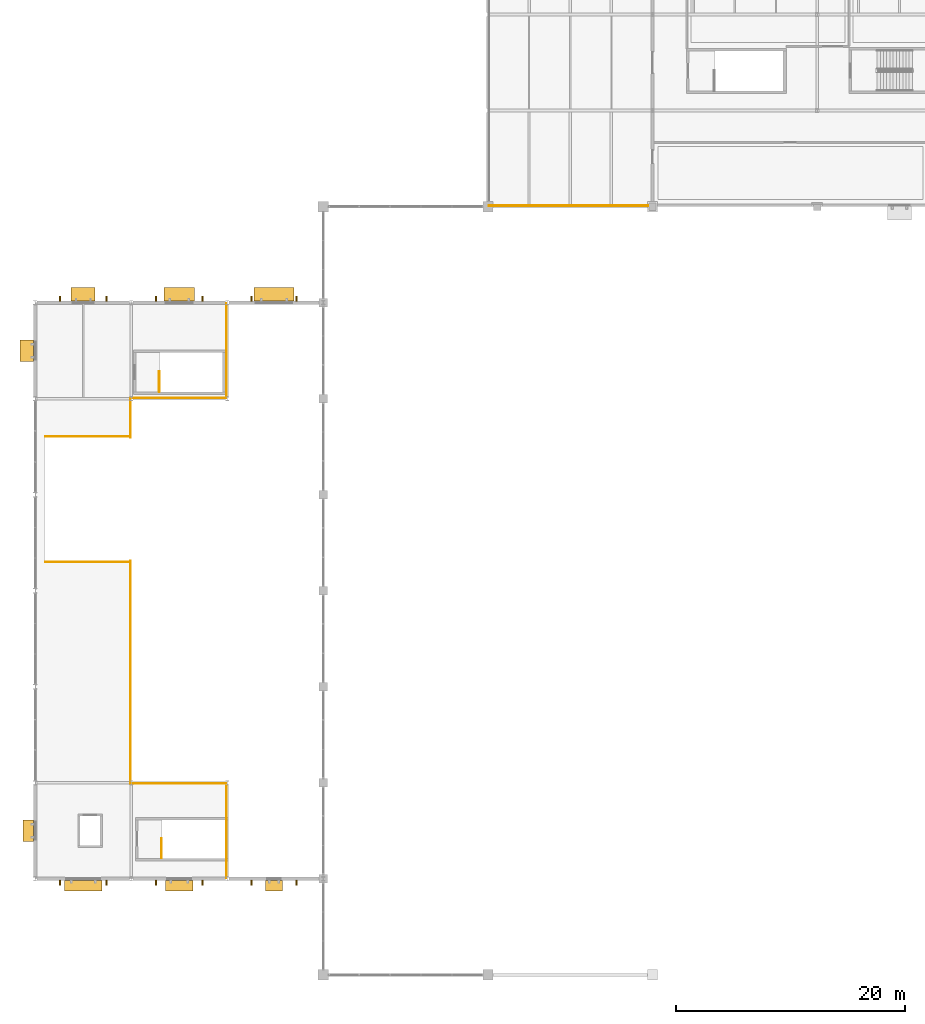
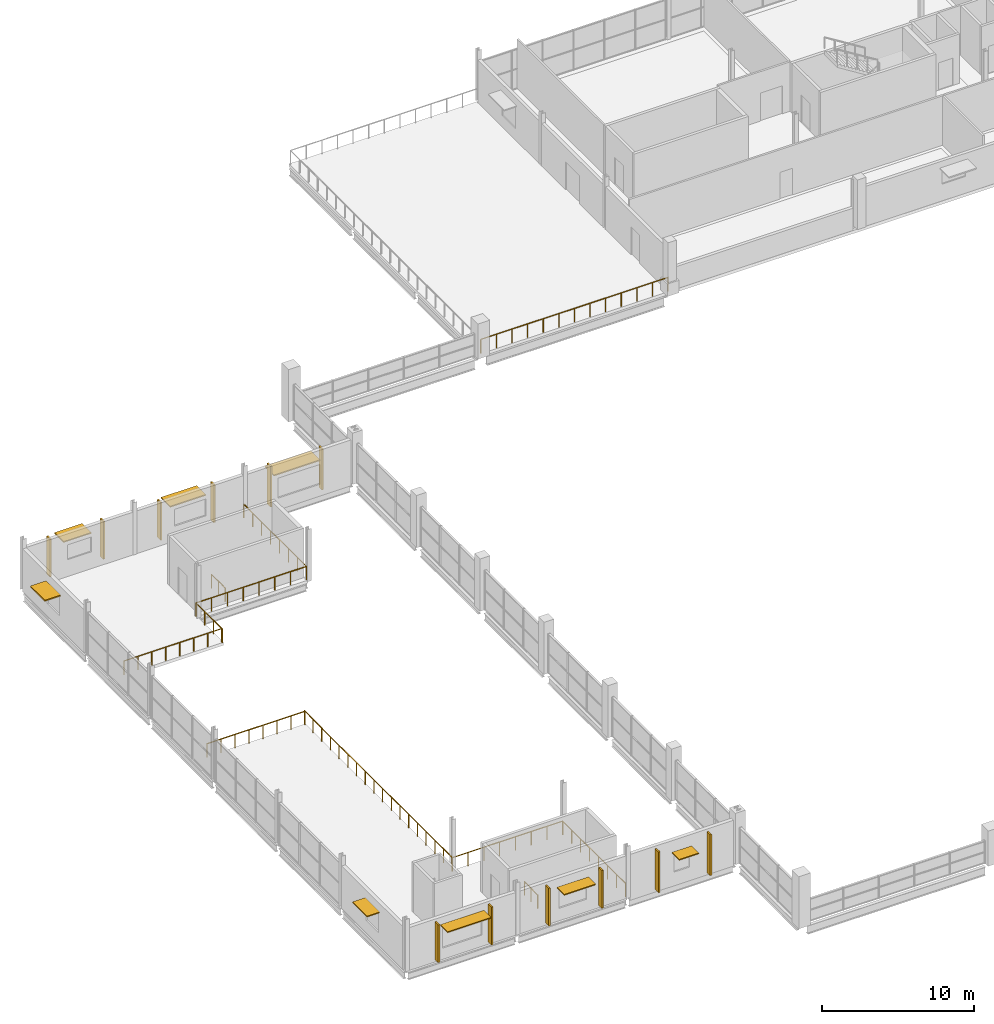
# One storey, part 62 of 68: 20 shading devices, 11 railings.
"""IFC4 building model written with IfcOpenShell, lengths in metres."""

from ifc_helpers import new_model, si_unit, direction, frame, origin, origin_2d, place, context, subcontext, project, spatial, rectangle, circle, extrude, material, layer, layer_set, type_object, element, save


model = new_model("IFC4")

# Units and contexts
model_context = context("Model", 3, precision=1e-05, world=origin(), true_north=direction((0.0, 1.0)))
body_context = subcontext(model_context, "Body", "Model", "MODEL_VIEW")
ifc_project = project(units=[si_unit("LENGTHUNIT", "METRE"), si_unit("AREAUNIT", "SQUARE_METRE"), si_unit("VOLUMEUNIT", "CUBIC_METRE"), si_unit("PLANEANGLEUNIT", "RADIAN"), si_unit("MASSUNIT", "GRAM", prefix="KILO"), si_unit("THERMODYNAMICTEMPERATUREUNIT", "KELVIN")], contexts=[model_context])

# Site, building, storey
site_placement = place(None, origin())
site = spatial("IfcSite", under=ifc_project, at=site_placement, CompositionType="ELEMENT")
building_placement = place(site_placement, origin())
building = spatial("IfcBuilding", under=site, at=building_placement, Name="Nduvali Passage Aquatics Centre", CompositionType="ELEMENT")
storey_placement = place(building_placement, frame((0.0, 0.0, 13.199951171875)))
storey = spatial("IfcBuildingStorey", under=building, at=storey_placement, Name="L03", CompositionType="ELEMENT", Elevation=13.199951171875)

# Shading devices
ifc_material_1 = material(Name="Glulam GL28h", Category="wood")
shading_device_type_1 = type_object("IfcShadingDeviceType", Name="ENV-SHD-FIN1", PredefinedType="USERDEFINED", material=ifc_material_1)
for number, where, z_axis, x_axis, name in (
    (1, (2.175048828125, 33.2451171875, 0.2001953125), (0.0, 0.0, 1.0), (1.0, 0.0, 0.0), "L03 Vertical Glulam Facade Fin 0067"),
    (2, (6.22509765625, 33.2451171875, 0.2001953125), (0.0, 0.0, 1.0), (1.0, 0.0, 0.0), "L03 Vertical Glulam Facade Fin 0068"),
    (3, (6.22509765625, 84.35498046875, 0.2001953125), (0.0, 0.0, 1.0), (-1.0, 0.0, 0.0), "L03 Vertical Glulam Facade Fin 0070"),
    (4, (2.175048828125, 84.35498046875, 0.2001953125), (0.0, 0.0, 1.0), (-1.0, 0.0, 0.0), "L03 Vertical Glulam Facade Fin 0071"),
    (5, (10.574951171875, 33.2451171875, 0.2001953125), (0.0, 0.0, 1.0), (1.0, 0.0, 0.0), "L03 Vertical Glulam Facade Fin 0073"),
    (6, (14.625, 33.2451171875, 0.2001953125), (0.0, 0.0, 1.0), (1.0, 0.0, 0.0), "L03 Vertical Glulam Facade Fin 0074"),
    (7, (14.625, 84.35498046875, 0.2001953125), (0.0, 0.0, 1.0), (-1.0, 0.0, 0.0), "L03 Vertical Glulam Facade Fin 0076"),
    (8, (10.574951171875, 84.35498046875, 0.2001953125), (0.0, 0.0, 1.0), (-1.0, 0.0, 0.0), "L03 Vertical Glulam Facade Fin 0077"),
):
    element("IfcShadingDevice", number, at=place(storey_placement, frame(where, z_axis=z_axis, x_axis=x_axis)), inside=storey, type_object=shading_device_type_1, Name=name, ObjectType="VERTICAL FIN", PredefinedType="USERDEFINED", context=body_context, shape_type="SweptSolid", body=[
        extrude(rectangle(XDim=0.1201171875, YDim=0.43994140625, at=origin_2d()), origin(), (0.0, 0.0, 1.0), 3.032958984375),
    ])
for number, where, z_axis, x_axis, name in (
    (9, (18.918701171875, 33.2451171875, -0.0498046875), (0.0, 0.0, 1.0), (1.0, 0.0, 0.0), "L03 Vertical Glulam Facade Fin 0079"),
    (10, (22.856201171875, 33.2451171875, -0.0498046875), (0.0, 0.0, 1.0), (1.0, 0.0, 0.0), "L03 Vertical Glulam Facade Fin 0080"),
    (11, (22.856201171875, 84.35498046875, -0.0498046875), (0.0, 0.0, 1.0), (-1.0, 0.0, 0.0), "L03 Vertical Glulam Facade Fin 0082"),
    (12, (18.918701171875, 84.35498046875, -0.0498046875), (0.0, 0.0, 1.0), (-1.0, 0.0, 0.0), "L03 Vertical Glulam Facade Fin 0083"),
):
    element("IfcShadingDevice", number, at=place(storey_placement, frame(where, z_axis=z_axis, x_axis=x_axis)), inside=storey, type_object=shading_device_type_1, Name=name, ObjectType="VERTICAL FIN", PredefinedType="USERDEFINED", context=body_context, shape_type="SweptSolid", body=[
        extrude(rectangle(XDim=0.1201171875, YDim=0.43994140625, at=origin_2d()), origin(), (0.0, 0.0, 1.0), 3.282958984375),
    ])
ifc_material_2 = material(Name="Aluminium EN AW-6063 T6", Category="aluminium")
ifc_layer_1 = layer(ifc_material_2, 0.090087890625, Name="Aluminium EN AW-6063 T6")
ifc_layer_set_1 = layer_set([ifc_layer_1], Name="Aluminium EN AW-6063 T6")
shading_device_type_2 = type_object("IfcShadingDeviceType", Name="ENV-SHD-SUN1", PredefinedType="AWNING", material=ifc_layer_set_1)
shading_device_1_placement = place(storey_placement, frame((4.199951171875, 84.72998046875, 2.60498046875), z_axis=(0.0, 0.0, 1.0), x_axis=(-1.0, 0.0, 0.0)))
element("IfcShadingDevice", 13, at=shading_device_1_placement, inside=storey, type_object=shading_device_type_2, Name="L03 Horizontal Monsoon Sunshade 0069", PredefinedType="AWNING", context=body_context, shape_type="SweptSolid", body=[
    extrude(rectangle(XDim=2.10009765625, YDim=1.199951171875, at=origin_2d()), origin(), (0.0, 0.0, 1.0), 0.090087890625),
])
shading_device_2_placement = place(storey_placement, frame((12.60009765625, 84.72998046875, 2.60498046875), z_axis=(0.0, 0.0, 1.0), x_axis=(-1.0, 0.0, 0.0)))
element("IfcShadingDevice", 14, at=shading_device_2_placement, inside=storey, type_object=shading_device_type_2, Name="L03 Horizontal Monsoon Sunshade 0075", PredefinedType="AWNING", context=body_context, shape_type="SweptSolid", body=[
    extrude(rectangle(XDim=2.699951171875, YDim=1.199951171875, at=origin_2d()), origin(), (0.0, 0.0, 1.0), 0.090087890625),
])
shading_device_3_placement = place(storey_placement, frame((20.887939453125, 84.72998046875, 2.35498046875), z_axis=(0.0, 0.0, 1.0), x_axis=(-1.0, 0.0, 0.0)))
element("IfcShadingDevice", 15, at=shading_device_3_placement, inside=storey, type_object=shading_device_type_2, Name="L03 Horizontal Monsoon Sunshade 0081", PredefinedType="AWNING", context=body_context, shape_type="SweptSolid", body=[
    extrude(rectangle(XDim=3.5, YDim=1.199951171875, at=origin_2d()), origin(), (0.0, 0.0, 1.0), 0.090087890625),
])
shading_device_4_placement = place(storey_placement, frame((-0.72998046875, 79.800048828125, 2.65478515625), z_axis=(0.0, 0.0, 1.0), x_axis=(0.0, -1.0, 0.0)))
element("IfcShadingDevice", 16, at=shading_device_4_placement, inside=storey, type_object=shading_device_type_2, Name="L03 Horizontal Monsoon Sunshade 0085", PredefinedType="AWNING", context=body_context, shape_type="SweptSolid", body=[
    extrude(rectangle(XDim=1.89990234375, YDim=1.199951171875, at=origin_2d()), origin(), (0.0, 0.0, 1.0), 0.090087890625),
])
ifc_layer_2 = layer(ifc_material_2, 0.080078125, Name="Aluminium EN AW-6063 T6")
ifc_layer_set_2 = layer_set([ifc_layer_2], Name="Aluminium EN AW-6063 T6")
shading_device_type_3 = type_object("IfcShadingDeviceType", Name="ENV-SHD-SUN2", PredefinedType="AWNING", material=ifc_layer_set_2)
shading_device_5_placement = place(storey_placement, frame((4.199951171875, 32.9951171875, 2.760009765625), z_axis=(0.0, 0.0, 1.0), x_axis=(1.0, 0.0, 0.0)))
element("IfcShadingDevice", 17, at=shading_device_5_placement, inside=storey, type_object=shading_device_type_3, Name="L03 Horizontal Monsoon Sunshade 0066", PredefinedType="AWNING", context=body_context, shape_type="SweptSolid", body=[
    extrude(rectangle(XDim=3.300048828125, YDim=0.949951171875, at=origin_2d()), origin(), (0.0, 0.0, 1.0), 0.080078125),
])
shading_device_6_placement = place(storey_placement, frame((12.60009765625, 32.9951171875, 2.659912109375), z_axis=(0.0, 0.0, 1.0), x_axis=(1.0, 0.0, 0.0)))
element("IfcShadingDevice", 18, at=shading_device_6_placement, inside=storey, type_object=shading_device_type_3, Name="L03 Horizontal Monsoon Sunshade 0072", PredefinedType="AWNING", context=body_context, shape_type="SweptSolid", body=[
    extrude(rectangle(XDim=2.39990234375, YDim=0.949951171875, at=origin_2d()), origin(), (0.0, 0.0, 1.0), 0.080078125),
])
shading_device_7_placement = place(storey_placement, frame((20.886962890625, 32.9951171875, 2.409912109375), z_axis=(0.0, 0.0, 1.0), x_axis=(1.0, 0.0, 0.0)))
element("IfcShadingDevice", 19, at=shading_device_7_placement, inside=storey, type_object=shading_device_type_3, Name="L03 Horizontal Monsoon Sunshade 0078", PredefinedType="AWNING", context=body_context, shape_type="SweptSolid", body=[
    extrude(rectangle(XDim=1.5, YDim=0.949951171875, at=origin_2d()), origin(), (0.0, 0.0, 1.0), 0.080078125),
])
shading_device_8_placement = place(storey_placement, frame((-0.60498046875, 37.800048828125, 2.659912109375), z_axis=(0.0, 0.0, 1.0), x_axis=(0.0, -1.0, 0.0)))
element("IfcShadingDevice", 20, at=shading_device_8_placement, inside=storey, type_object=shading_device_type_3, Name="L03 Horizontal Monsoon Sunshade 0084", PredefinedType="AWNING", context=body_context, shape_type="SweptSolid", body=[
    extrude(rectangle(XDim=1.89990234375, YDim=0.949951171875, at=origin_2d()), origin(), (0.0, 0.0, 1.0), 0.080078125),
])

# Railings
ifc_material_3 = material(Name="Stainless steel balustrade", Category="steel")
railing_type_1 = type_object("IfcRailingType", Name="INT-RLG-EXT112", PredefinedType="BALUSTRADE", material=ifc_material_3)
railing_1_placement = place(storey_placement, frame((39.679931640625, 92.47998046875, 0.0)))
element("IfcRailing", 21, at=railing_1_placement, inside=storey, type_object=railing_type_1, Name="L03 Roof Terrace South Perimeter Balustrade", PredefinedType="BALUSTRADE", context=body_context, shape_type="SweptSolid", body=[
    extrude(circle(Radius=0.02392578125, at=origin_2d()), frame((0.0, 0.0, 1.09619140625), z_axis=(1.0, 0.0, 0.0), x_axis=(0.0, 1.0, 0.0)), (0.0, 0.0, 1.0), 14.239990234375),
    extrude(circle(Radius=0.02099609375, at=origin_2d()), origin(), (0.0, 0.0, 1.0), 1.072021484375),
    extrude(circle(Radius=0.02099609375, at=origin_2d()), frame((1.186767578125, 0.0, 0.0)), (0.0, 0.0, 1.0), 1.072021484375),
    extrude(circle(Radius=0.02099609375, at=origin_2d()), frame((2.373291015625, 0.0, 0.0)), (0.0, 0.0, 1.0), 1.072021484375),
    extrude(circle(Radius=0.02099609375, at=origin_2d()), frame((3.56005859375, 0.0, 0.0)), (0.0, 0.0, 1.0), 1.072021484375),
    extrude(circle(Radius=0.02099609375, at=origin_2d()), frame((4.74658203125, 0.0, 0.0)), (0.0, 0.0, 1.0), 1.072021484375),
    extrude(circle(Radius=0.02099609375, at=origin_2d()), frame((5.933349609375, 0.0, 0.0)), (0.0, 0.0, 1.0), 1.072021484375),
    extrude(circle(Radius=0.02099609375, at=origin_2d()), frame((7.1201171875, 0.0, 0.0)), (0.0, 0.0, 1.0), 1.072021484375),
    extrude(circle(Radius=0.02099609375, at=origin_2d()), frame((8.306640625, 0.0, 0.0)), (0.0, 0.0, 1.0), 1.072021484375),
    extrude(circle(Radius=0.02099609375, at=origin_2d()), frame((9.493408203125, 0.0, 0.0)), (0.0, 0.0, 1.0), 1.072021484375),
    extrude(circle(Radius=0.02099609375, at=origin_2d()), frame((10.679931640625, 0.0, 0.0)), (0.0, 0.0, 1.0), 1.072021484375),
    extrude(circle(Radius=0.02099609375, at=origin_2d()), frame((11.86669921875, 0.0, 0.0)), (0.0, 0.0, 1.0), 1.072021484375),
    extrude(circle(Radius=0.02099609375, at=origin_2d()), frame((13.05322265625, 0.0, 0.0)), (0.0, 0.0, 1.0), 1.072021484375),
    extrude(circle(Radius=0.02099609375, at=origin_2d()), frame((14.239990234375, 0.0, 0.0)), (0.0, 0.0, 1.0), 1.072021484375),
])
railing_type_2 = type_object("IfcRailingType", Name="INT-RLG-GRD110", PredefinedType="GUARDRAIL", material=ifc_material_3)
railing_2_placement = place(storey_placement, frame((11.050048828125, 35.39990234375, 0.0)))
element("IfcRailing", 22, at=railing_2_placement, inside=storey, type_object=railing_type_2, Name="L03 ST9 top well guard 1", PredefinedType="GUARDRAIL", context=body_context, shape_type="SweptSolid", body=[
    extrude(circle(Radius=0.02392578125, at=origin_2d()), frame((0.0, 0.0, 1.076171875), z_axis=(0.0, 1.0, 0.0), x_axis=(-1.0, 0.0, 0.0)), (0.0, 0.0, 1.0), 1.75),
    extrude(circle(Radius=0.02099609375, at=origin_2d()), origin(), (0.0, 0.0, 1.0), 1.052001953125),
    extrude(circle(Radius=0.02099609375, at=origin_2d()), frame((0.0, 0.875, 0.0)), (0.0, 0.0, 1.0), 1.052001953125),
    extrude(circle(Radius=0.02099609375, at=origin_2d()), frame((0.0, 1.75, 0.0)), (0.0, 0.0, 1.0), 1.052001953125),
])
railing_3_placement = place(storey_placement, frame((10.85009765625, 76.199951171875, 0.0)))
element("IfcRailing", 23, at=railing_3_placement, inside=storey, type_object=railing_type_2, Name="L03 ST12 top well guard 1", PredefinedType="GUARDRAIL", context=body_context, shape_type="SweptSolid", body=[
    extrude(circle(Radius=0.02392578125, at=origin_2d()), frame((0.0, 0.0, 1.076171875), z_axis=(0.0, 1.0, 0.0), x_axis=(-1.0, 0.0, 0.0)), (0.0, 0.0, 1.0), 1.7900390625),
    extrude(circle(Radius=0.02099609375, at=origin_2d()), origin(), (0.0, 0.0, 1.0), 1.052001953125),
    extrude(circle(Radius=0.02099609375, at=origin_2d()), frame((0.0, 0.89501953125, 0.0)), (0.0, 0.0, 1.0), 1.052001953125),
    extrude(circle(Radius=0.02099609375, at=origin_2d()), frame((0.0, 1.7900390625, 0.0)), (0.0, 0.0, 1.0), 1.052001953125),
])
for number, where, name in (
    (24, (0.8798828125, 61.320068359375, 0.0), "L03 High Diving Cutout South Guard"),
    (25, (0.8798828125, 72.280029296875, 0.0), "L03 High Diving Cutout North Guard"),
):
    element("IfcRailing", number, at=place(storey_placement, frame(where)), inside=storey, type_object=railing_type_2, Name=name, PredefinedType="GUARDRAIL", context=body_context, shape_type="SweptSolid", body=[
        extrude(circle(Radius=0.02392578125, at=origin_2d()), frame((0.0, 0.0, 1.076171875), z_axis=(1.0, 0.0, 0.0), x_axis=(0.0, 1.0, 0.0)), (0.0, 0.0, 1.0), 7.440185546875),
        extrude(circle(Radius=0.02099609375, at=origin_2d()), origin(), (0.0, 0.0, 1.0), 1.052001953125),
        extrude(circle(Radius=0.02099609375, at=origin_2d()), frame((1.06298828125, 0.0, 0.0)), (0.0, 0.0, 1.0), 1.052001953125),
        extrude(circle(Radius=0.02099609375, at=origin_2d()), frame((2.125732421875, 0.0, 0.0)), (0.0, 0.0, 1.0), 1.052001953125),
        extrude(circle(Radius=0.02099609375, at=origin_2d()), frame((3.188720703125, 0.0, 0.0)), (0.0, 0.0, 1.0), 1.052001953125),
        extrude(circle(Radius=0.02099609375, at=origin_2d()), frame((4.25146484375, 0.0, 0.0)), (0.0, 0.0, 1.0), 1.052001953125),
        extrude(circle(Radius=0.02099609375, at=origin_2d()), frame((5.314453125, 0.0, 0.0)), (0.0, 0.0, 1.0), 1.052001953125),
        extrude(circle(Radius=0.02099609375, at=origin_2d()), frame((6.377197265625, 0.0, 0.0)), (0.0, 0.0, 1.0), 1.052001953125),
        extrude(circle(Radius=0.02099609375, at=origin_2d()), frame((7.440185546875, 0.0, 0.0)), (0.0, 0.0, 1.0), 1.052001953125),
    ])
railing_4_placement = place(storey_placement, frame((8.320068359375, 41.919921875, 0.0)))
element("IfcRailing", 26, at=railing_4_placement, inside=storey, type_object=railing_type_2, Name="L03 High Diving Access South Balustrade", PredefinedType="GUARDRAIL", context=body_context, shape_type="SweptSolid", body=[
    extrude(circle(Radius=0.02392578125, at=origin_2d()), frame((0.0, 0.0, 1.076171875), z_axis=(0.0, 1.0, 0.0), x_axis=(-1.0, 0.0, 0.0)), (0.0, 0.0, 1.0), 19.47998046875),
    extrude(circle(Radius=0.02099609375, at=origin_2d()), origin(), (0.0, 0.0, 1.0), 1.052001953125),
    extrude(circle(Radius=0.02099609375, at=origin_2d()), frame((0.0, 1.14599609375, 0.0)), (0.0, 0.0, 1.0), 1.052001953125),
    extrude(circle(Radius=0.02099609375, at=origin_2d()), frame((0.0, 2.291748046875, 0.0)), (0.0, 0.0, 1.0), 1.052001953125),
    extrude(circle(Radius=0.02099609375, at=origin_2d()), frame((0.0, 3.437744140625, 0.0)), (0.0, 0.0, 1.0), 1.052001953125),
    extrude(circle(Radius=0.02099609375, at=origin_2d()), frame((0.0, 4.58349609375, 0.0)), (0.0, 0.0, 1.0), 1.052001953125),
    extrude(circle(Radius=0.02099609375, at=origin_2d()), frame((0.0, 5.7294921875, 0.0)), (0.0, 0.0, 1.0), 1.052001953125),
    extrude(circle(Radius=0.02099609375, at=origin_2d()), frame((0.0, 6.875244140625, 0.0)), (0.0, 0.0, 1.0), 1.052001953125),
    extrude(circle(Radius=0.02099609375, at=origin_2d()), frame((0.0, 8.021240234375, 0.0)), (0.0, 0.0, 1.0), 1.052001953125),
    extrude(circle(Radius=0.02099609375, at=origin_2d()), frame((0.0, 9.1669921875, 0.0)), (0.0, 0.0, 1.0), 1.052001953125),
    extrude(circle(Radius=0.02099609375, at=origin_2d()), frame((0.0, 10.31298828125, 0.0)), (0.0, 0.0, 1.0), 1.052001953125),
    extrude(circle(Radius=0.02099609375, at=origin_2d()), frame((0.0, 11.458740234375, 0.0)), (0.0, 0.0, 1.0), 1.052001953125),
    extrude(circle(Radius=0.02099609375, at=origin_2d()), frame((0.0, 12.604736328125, 0.0)), (0.0, 0.0, 1.0), 1.052001953125),
    extrude(circle(Radius=0.02099609375, at=origin_2d()), frame((0.0, 13.75048828125, 0.0)), (0.0, 0.0, 1.0), 1.052001953125),
    extrude(circle(Radius=0.02099609375, at=origin_2d()), frame((0.0, 14.896484375, 0.0)), (0.0, 0.0, 1.0), 1.052001953125),
    extrude(circle(Radius=0.02099609375, at=origin_2d()), frame((0.0, 16.042236328125, 0.0)), (0.0, 0.0, 1.0), 1.052001953125),
    extrude(circle(Radius=0.02099609375, at=origin_2d()), frame((0.0, 17.188232421875, 0.0)), (0.0, 0.0, 1.0), 1.052001953125),
    extrude(circle(Radius=0.02099609375, at=origin_2d()), frame((0.0, 18.333984375, 0.0)), (0.0, 0.0, 1.0), 1.052001953125),
    extrude(circle(Radius=0.02099609375, at=origin_2d()), frame((0.0, 19.47998046875, 0.0)), (0.0, 0.0, 1.0), 1.052001953125),
])
railing_5_placement = place(storey_placement, frame((8.320068359375, 72.199951171875, 0.0)))
element("IfcRailing", 27, at=railing_5_placement, inside=storey, type_object=railing_type_2, Name="L03 High Diving Access North Balustrade", PredefinedType="GUARDRAIL", context=body_context, shape_type="SweptSolid", body=[
    extrude(circle(Radius=0.02392578125, at=origin_2d()), frame((0.0, 0.0, 1.076171875), z_axis=(0.0, 1.0, 0.0), x_axis=(-1.0, 0.0, 0.0)), (0.0, 0.0, 1.0), 3.47998046875),
    extrude(circle(Radius=0.02099609375, at=origin_2d()), origin(), (0.0, 0.0, 1.0), 1.052001953125),
    extrude(circle(Radius=0.02099609375, at=origin_2d()), frame((0.0, 1.159912109375, 0.0)), (0.0, 0.0, 1.0), 1.052001953125),
    extrude(circle(Radius=0.02099609375, at=origin_2d()), frame((0.0, 2.320068359375, 0.0)), (0.0, 0.0, 1.0), 1.052001953125),
    extrude(circle(Radius=0.02099609375, at=origin_2d()), frame((0.0, 3.47998046875, 0.0)), (0.0, 0.0, 1.0), 1.052001953125),
])
railing_6_placement = place(storey_placement, frame((8.320068359375, 75.679931640625, 0.0)))
element("IfcRailing", 28, at=railing_6_placement, inside=storey, type_object=railing_type_2, Name="L03 High Diving North Wing Balustrade", PredefinedType="GUARDRAIL", context=body_context, shape_type="SweptSolid", body=[
    extrude(circle(Radius=0.02392578125, at=origin_2d()), frame((0.0, 0.0, 1.076171875), z_axis=(1.0, 0.0, 0.0), x_axis=(0.0, 1.0, 0.0)), (0.0, 0.0, 1.0), 8.39990234375),
    extrude(circle(Radius=0.02099609375, at=origin_2d()), origin(), (0.0, 0.0, 1.0), 1.052001953125),
    extrude(circle(Radius=0.02099609375, at=origin_2d()), frame((1.199951171875, 0.0, 0.0)), (0.0, 0.0, 1.0), 1.052001953125),
    extrude(circle(Radius=0.02099609375, at=origin_2d()), frame((2.39990234375, 0.0, 0.0)), (0.0, 0.0, 1.0), 1.052001953125),
    extrude(circle(Radius=0.02099609375, at=origin_2d()), frame((3.599853515625, 0.0, 0.0)), (0.0, 0.0, 1.0), 1.052001953125),
    extrude(circle(Radius=0.02099609375, at=origin_2d()), frame((4.800048828125, 0.0, 0.0)), (0.0, 0.0, 1.0), 1.052001953125),
    extrude(circle(Radius=0.02099609375, at=origin_2d()), frame((6.0, 0.0, 0.0)), (0.0, 0.0, 1.0), 1.052001953125),
    extrude(circle(Radius=0.02099609375, at=origin_2d()), frame((7.199951171875, 0.0, 0.0)), (0.0, 0.0, 1.0), 1.052001953125),
    extrude(circle(Radius=0.02099609375, at=origin_2d()), frame((8.39990234375, 0.0, 0.0)), (0.0, 0.0, 1.0), 1.052001953125),
])
railing_7_placement = place(storey_placement, frame((16.719970703125, 75.679931640625, 0.0)))
element("IfcRailing", 29, at=railing_7_placement, inside=storey, type_object=railing_type_2, Name="L03 High Diving North-East End Guard", PredefinedType="GUARDRAIL", context=body_context, shape_type="SweptSolid", body=[
    extrude(circle(Radius=0.02392578125, at=origin_2d()), frame((0.0, 0.0, 1.076171875), z_axis=(0.0, 1.0, 0.0), x_axis=(-1.0, 0.0, 0.0)), (0.0, 0.0, 1.0), 8.239990234375),
    extrude(circle(Radius=0.02099609375, at=origin_2d()), origin(), (0.0, 0.0, 1.0), 1.052001953125),
    extrude(circle(Radius=0.02099609375, at=origin_2d()), frame((0.0, 1.17724609375, 0.0)), (0.0, 0.0, 1.0), 1.052001953125),
    extrude(circle(Radius=0.02099609375, at=origin_2d()), frame((0.0, 2.354248046875, 0.0)), (0.0, 0.0, 1.0), 1.052001953125),
    extrude(circle(Radius=0.02099609375, at=origin_2d()), frame((0.0, 3.531494140625, 0.0)), (0.0, 0.0, 1.0), 1.052001953125),
    extrude(circle(Radius=0.02099609375, at=origin_2d()), frame((0.0, 4.70849609375, 0.0)), (0.0, 0.0, 1.0), 1.052001953125),
    extrude(circle(Radius=0.02099609375, at=origin_2d()), frame((0.0, 5.8857421875, 0.0)), (0.0, 0.0, 1.0), 1.052001953125),
    extrude(circle(Radius=0.02099609375, at=origin_2d()), frame((0.0, 7.062744140625, 0.0)), (0.0, 0.0, 1.0), 1.052001953125),
    extrude(circle(Radius=0.02099609375, at=origin_2d()), frame((0.0, 8.239990234375, 0.0)), (0.0, 0.0, 1.0), 1.052001953125),
])
railing_8_placement = place(storey_placement, frame((8.320068359375, 41.919921875, 0.0)))
element("IfcRailing", 30, at=railing_8_placement, inside=storey, type_object=railing_type_2, Name="L03 High Diving South Balustrade", PredefinedType="GUARDRAIL", context=body_context, shape_type="SweptSolid", body=[
    extrude(circle(Radius=0.02392578125, at=origin_2d()), frame((0.0, 0.0, 1.076171875), z_axis=(1.0, 0.0, 0.0), x_axis=(0.0, 1.0, 0.0)), (0.0, 0.0, 1.0), 8.39990234375),
    extrude(circle(Radius=0.02099609375, at=origin_2d()), origin(), (0.0, 0.0, 1.0), 1.052001953125),
    extrude(circle(Radius=0.02099609375, at=origin_2d()), frame((1.199951171875, 0.0, 0.0)), (0.0, 0.0, 1.0), 1.052001953125),
    extrude(circle(Radius=0.02099609375, at=origin_2d()), frame((2.39990234375, 0.0, 0.0)), (0.0, 0.0, 1.0), 1.052001953125),
    extrude(circle(Radius=0.02099609375, at=origin_2d()), frame((3.599853515625, 0.0, 0.0)), (0.0, 0.0, 1.0), 1.052001953125),
    extrude(circle(Radius=0.02099609375, at=origin_2d()), frame((4.800048828125, 0.0, 0.0)), (0.0, 0.0, 1.0), 1.052001953125),
    extrude(circle(Radius=0.02099609375, at=origin_2d()), frame((6.0, 0.0, 0.0)), (0.0, 0.0, 1.0), 1.052001953125),
    extrude(circle(Radius=0.02099609375, at=origin_2d()), frame((7.199951171875, 0.0, 0.0)), (0.0, 0.0, 1.0), 1.052001953125),
    extrude(circle(Radius=0.02099609375, at=origin_2d()), frame((8.39990234375, 0.0, 0.0)), (0.0, 0.0, 1.0), 1.052001953125),
])
railing_9_placement = place(storey_placement, frame((16.719970703125, 33.679931640625, 0.0)))
element("IfcRailing", 31, at=railing_9_placement, inside=storey, type_object=railing_type_2, Name="L03 High Diving South-East End Guard", PredefinedType="GUARDRAIL", context=body_context, shape_type="SweptSolid", body=[
    extrude(circle(Radius=0.02392578125, at=origin_2d()), frame((0.0, 0.0, 1.076171875), z_axis=(0.0, 1.0, 0.0), x_axis=(-1.0, 0.0, 0.0)), (0.0, 0.0, 1.0), 8.239990234375),
    extrude(circle(Radius=0.02099609375, at=origin_2d()), origin(), (0.0, 0.0, 1.0), 1.052001953125),
    extrude(circle(Radius=0.02099609375, at=origin_2d()), frame((0.0, 1.17724609375, 0.0)), (0.0, 0.0, 1.0), 1.052001953125),
    extrude(circle(Radius=0.02099609375, at=origin_2d()), frame((0.0, 2.354248046875, 0.0)), (0.0, 0.0, 1.0), 1.052001953125),
    extrude(circle(Radius=0.02099609375, at=origin_2d()), frame((0.0, 3.531494140625, 0.0)), (0.0, 0.0, 1.0), 1.052001953125),
    extrude(circle(Radius=0.02099609375, at=origin_2d()), frame((0.0, 4.70849609375, 0.0)), (0.0, 0.0, 1.0), 1.052001953125),
    extrude(circle(Radius=0.02099609375, at=origin_2d()), frame((0.0, 5.8857421875, 0.0)), (0.0, 0.0, 1.0), 1.052001953125),
    extrude(circle(Radius=0.02099609375, at=origin_2d()), frame((0.0, 7.062744140625, 0.0)), (0.0, 0.0, 1.0), 1.052001953125),
    extrude(circle(Radius=0.02099609375, at=origin_2d()), frame((0.0, 8.239990234375, 0.0)), (0.0, 0.0, 1.0), 1.052001953125),
])

save(model, "model.ifc")
